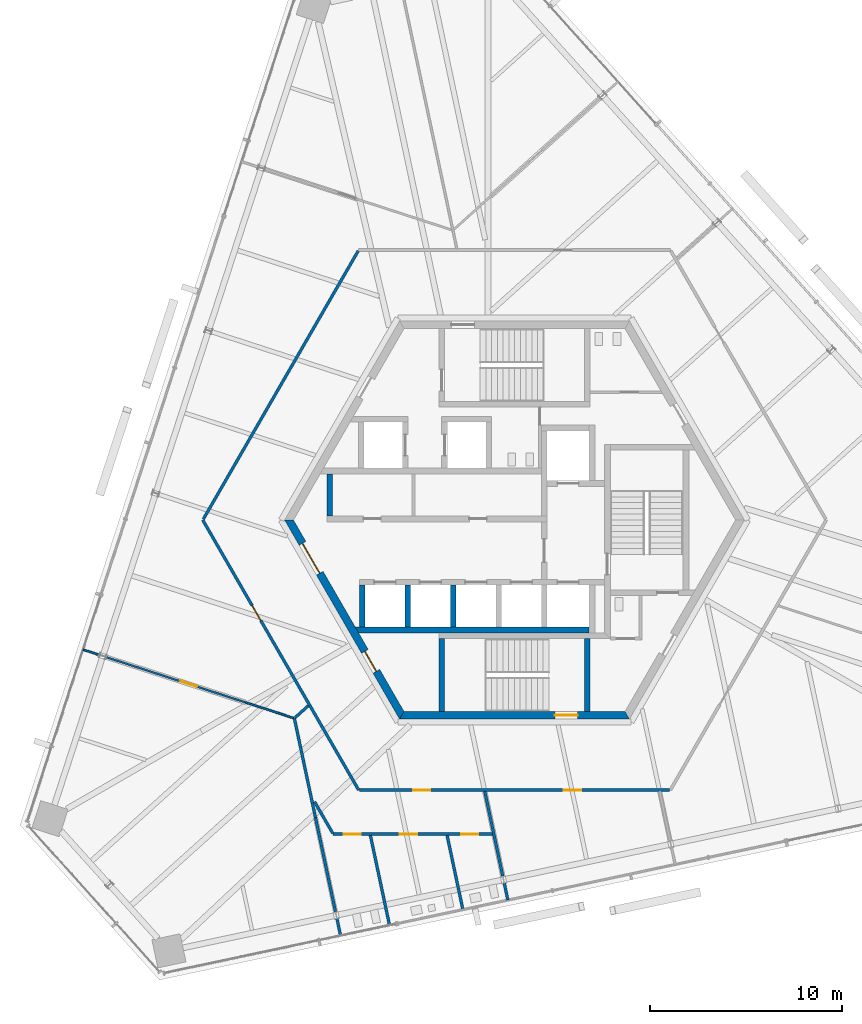
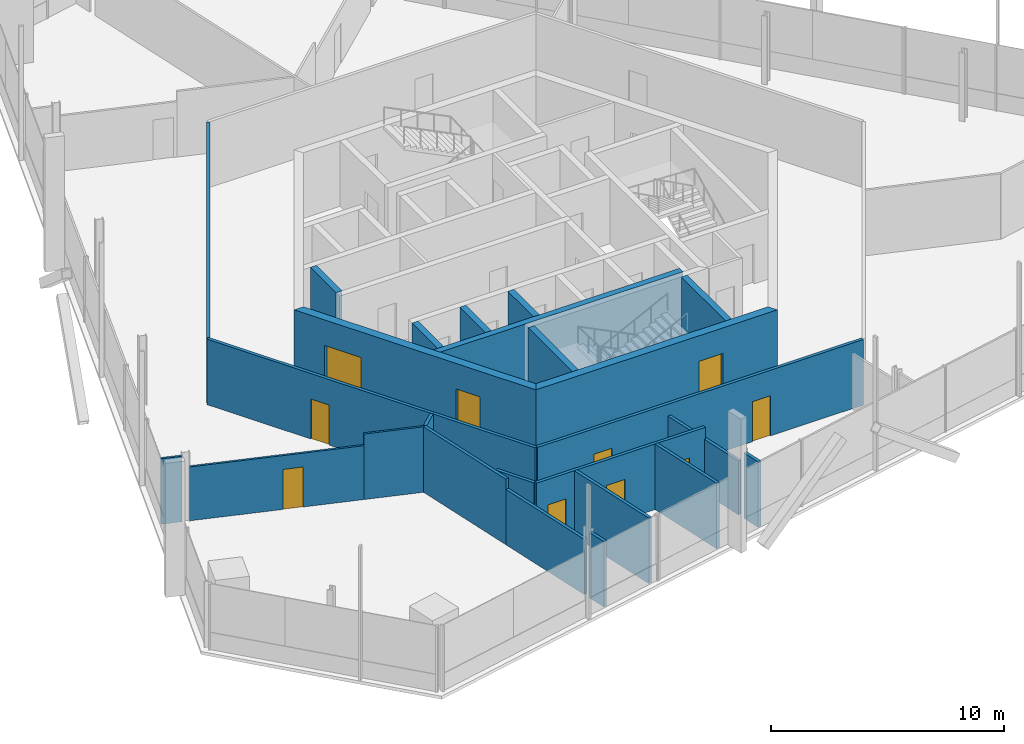
# One storey, part 10 of 17: 25 walls, 10 doors, 10 openings.
"""IFC4 building model written with IfcOpenShell, lengths in metres."""

import ifcopenshell
import ifcopenshell.guid

model = None  # the IFC model being written
_history = None  # IfcOwnerHistory: only IFC2X3 demands one
_inside = {}  # id of a spatial element -> (the spatial element, [elements in it])
_under = {}  # id of a project, library or spatial element -> (it, [spatial elements below it])
_declared = {}  # id of a project -> (the project, [libraries it declares])
_typed = {}  # id of a type object -> (the type object, [elements of that type])
_made_of = {}  # id of a material, layer set ... -> (it, [elements and type objects made of it])


def new_model(schema):
    """Start an empty IFC model of exactly this schema.

    Asked for "IFC4X3", IfcOpenShell would pick the latest addendum, in which some entities
    have other attributes; the version numbers below select the first issue.
    IFC2X3 requires an IfcOwnerHistory on every rooted entity: one is made here for all.
    """
    global model, _history
    if schema == "IFC4X3":
        model = ifcopenshell.file(schema_version=(4, 3, 0, 0))
    else:
        model = ifcopenshell.file(schema=schema)
    _inside.clear()
    _under.clear()
    _declared.clear()
    _typed.clear()
    _made_of.clear()
    _history = None
    if model.schema == "IFC2X3":
        org = make("IfcOrganization", Name="unknown")
        user = make(
            "IfcPersonAndOrganization",
            ThePerson=make("IfcPerson", FamilyName="unknown"),
            TheOrganization=org,
        )
        app = make(
            "IfcApplication",
            ApplicationDeveloper=org,
            Version="unknown",
            ApplicationFullName="unknown",
            ApplicationIdentifier="unknown",
        )
        _history = make(
            "IfcOwnerHistory",
            OwningUser=user,
            OwningApplication=app,
            ChangeAction="ADDED",
            CreationDate=0,
        )
    return model


def make(cls, **values):
    """One entity of the class cls with the attributes given. An attribute that is None is left unset."""
    return model.create_entity(
        cls, **{name: value for name, value in values.items() if value is not None}
    )


def rooted(cls, **values):
    """An entity with a GlobalId (a new one), such as an element, a storey or a relation."""
    return make(cls, GlobalId=ifcopenshell.guid.new(), OwnerHistory=_history, **values)


def si_unit(unit_type, name, prefix=None):
    """IfcSIUnit, for example si_unit("LENGTHUNIT", "METRE", prefix="MILLI")."""
    return make("IfcSIUnit", UnitType=unit_type, Prefix=prefix, Name=name)


def assignment(units):
    """IfcUnitAssignment: the units of a project."""
    return None if units is None else make("IfcUnitAssignment", Units=units)


def point(xyz):
    """IfcCartesianPoint."""
    return None if xyz is None else make("IfcCartesianPoint", Coordinates=xyz)


def direction(xyz):
    """IfcDirection."""
    return None if xyz is None else make("IfcDirection", DirectionRatios=xyz)


def frame(location, z_axis=None, x_axis=None):
    """IfcAxis2Placement3D, a coordinate frame: its origin and axes. An axis left out is left unset."""
    return make(
        "IfcAxis2Placement3D",
        Location=point(location),
        Axis=direction(z_axis),
        RefDirection=direction(x_axis),
    )


def frame_2d(location, x_axis=None):
    """IfcAxis2Placement2D, a coordinate frame in the plane: its origin and x axis."""
    return make(
        "IfcAxis2Placement2D", Location=point(location), RefDirection=direction(x_axis)
    )


def origin():
    """The frame at (0, 0, 0) with its axes left unset."""
    return frame((0.0, 0.0, 0.0))


def place(relative_to, where):
    """IfcLocalPlacement: puts the frame where relative to a parent placement (None: the world)."""
    return make(
        "IfcLocalPlacement", PlacementRelTo=relative_to, RelativePlacement=where
    )


def context(
    kind, dimensions, precision=None, world=None, true_north=None, identifier=None
):
    """IfcGeometricRepresentationContext, for example the 3D "Model" context."""
    return make(
        "IfcGeometricRepresentationContext",
        ContextIdentifier=identifier,
        ContextType=kind,
        CoordinateSpaceDimension=dimensions,
        Precision=precision,
        WorldCoordinateSystem=world,
        TrueNorth=true_north,
    )


def subcontext(parent, identifier, kind, view, scale=None):
    """IfcGeometricRepresentationSubContext, for example "Body" below "Model"."""
    return make(
        "IfcGeometricRepresentationSubContext",
        ContextIdentifier=identifier,
        ContextType=kind,
        ParentContext=parent,
        TargetScale=scale,
        TargetView=view,
    )


def project(units=None, contexts=None):
    """IfcProject with its units and contexts."""
    return rooted(
        "IfcProject",
        Name="project",
        RepresentationContexts=contexts,
        UnitsInContext=assignment(units),
    )


def spatial(cls, under=None, at=None, **own):
    """A site, building, storey or space (cls), placed at a placement, below another one or the project."""
    s = rooted(cls, ObjectPlacement=at, **own)
    if under is not None:
        _under.setdefault(under.id(), (under, []))[1].append(s)
    return s


def polyline(points):
    """IfcPolyline through the points."""
    return make("IfcPolyline", Points=[point(p) for p in points])


def profile(cls, at=None, kind="AREA", **sizes):
    """A parametric profile (cls). Its sizes go by their IFC names, for example OverallWidth=200.0."""
    return make(cls, ProfileType=kind, Position=at, **sizes)


def rectangle(**sizes):
    """IfcRectangleProfileDef."""
    return profile("IfcRectangleProfileDef", **sizes)


def outline(outer, holes=None, kind="AREA"):
    """IfcArbitraryClosedProfileDef: a profile drawn as a closed curve; with holes, ...WithVoids."""
    if holes is None:
        return make("IfcArbitraryClosedProfileDef", ProfileType=kind, OuterCurve=outer)
    return make(
        "IfcArbitraryProfileDefWithVoids",
        ProfileType=kind,
        OuterCurve=outer,
        InnerCurves=holes,
    )


def extrude(swept, where, along, depth):
    """IfcExtrudedAreaSolid: the profile swept, set in the frame where, extruded along a direction by depth."""
    return make(
        "IfcExtrudedAreaSolid",
        SweptArea=swept,
        Position=where,
        ExtrudedDirection=direction(along),
        Depth=depth,
    )


def shape(context_of_items, identifier, shape_type, items):
    """IfcShapeRepresentation: the items that make up one representation, for example the "Body"."""
    return make(
        "IfcShapeRepresentation",
        ContextOfItems=context_of_items,
        RepresentationIdentifier=identifier,
        RepresentationType=shape_type,
        Items=items,
    )


def source(mapping_origin, context_of_items, identifier, shape_type, items):
    """IfcRepresentationMap: a shape defined once, which mapped items show again and again."""
    return make(
        "IfcRepresentationMap",
        MappingOrigin=mapping_origin,
        MappedRepresentation=shape(context_of_items, identifier, shape_type, items),
    )


def transform(
    local_origin,
    x_axis=None,
    y_axis=None,
    z_axis=None,
    scale=None,
    scale2=None,
    scale3=None,
    uniform=True,
):
    """IfcCartesianTransformationOperator3D, or its non-uniform kind. x_axis, y_axis, z_axis: its Axis1, 2, 3."""
    if uniform:
        return make(
            "IfcCartesianTransformationOperator3D",
            Axis1=direction(x_axis),
            Axis2=direction(y_axis),
            LocalOrigin=point(local_origin),
            Scale=scale,
            Axis3=direction(z_axis),
        )
    return make(
        "IfcCartesianTransformationOperator3DnonUniform",
        Axis1=direction(x_axis),
        Axis2=direction(y_axis),
        LocalOrigin=point(local_origin),
        Scale=scale,
        Axis3=direction(z_axis),
        Scale2=scale2,
        Scale3=scale3,
    )


def mapped(mapping_source, mapping_target):
    """IfcMappedItem: shows the shape of a source again, moved by a transform."""
    return make(
        "IfcMappedItem", MappingSource=mapping_source, MappingTarget=mapping_target
    )


def material(Name=None, Category=None):
    """IfcMaterial."""
    return make("IfcMaterial", Name=Name, Category=Category)


def layer(
    of_material, thickness, ventilated=None, Name=None, Category=None, Priority=None
):
    """IfcMaterialLayer: one layer of a wall or slab, of a material (None: an air gap)."""
    return make(
        "IfcMaterialLayer",
        Material=of_material,
        LayerThickness=thickness,
        IsVentilated=ventilated,
        Name=Name,
        Category=Category,
        Priority=Priority,
    )


def layer_set(layers, Name=None):
    """IfcMaterialLayerSet."""
    return make("IfcMaterialLayerSet", MaterialLayers=layers, LayerSetName=Name)


def made_of(thing, what):
    """Note that an element or type object is made of a material, layer set ...; save() writes the relation."""
    if what is not None:
        _made_of.setdefault(what.id(), (what, []))[1].append(thing)
    return thing


def type_object(cls, material=None, **own):
    """A type object (cls), such as IfcWallType, which elements share."""
    return made_of(rooted(cls, **own), material)


def element(
    cls,
    number,
    at=None,
    inside=None,
    cuts=None,
    type_object=None,
    material=None,
    context=None,
    identifier="Body",
    shape_type=None,
    held_by="IfcProductDefinitionShape",
    body=None,
    shapes=None,
    **own,
):
    """One element of the class cls, such as IfcWall. Its Tag is "e" and its number.

    at: its placement. inside: the storey or other place that contains it. cuts: it is an
    opening in that element (IfcRelVoidsElement). A single representation is given by context,
    identifier, shape_type and body (its items); several are given by shapes. held_by: the class
    of the entity that holds the representations. save() writes the other relations.
    """
    e = rooted(cls, Tag="e%d" % number, ObjectPlacement=at, **own)
    if body is not None:
        shapes = [shape(context, identifier, shape_type, body)]
    if shapes is not None:
        e.Representation = make(held_by, Representations=shapes)
    if inside is not None:
        _inside.setdefault(inside.id(), (inside, []))[1].append(e)
    if cuts is not None:
        rooted(
            "IfcRelVoidsElement", RelatingBuildingElement=cuts, RelatedOpeningElement=e
        )
    if type_object is not None:
        _typed.setdefault(type_object.id(), (type_object, []))[1].append(e)
    return made_of(e, material)


def fill(opening, filler):
    """IfcRelFillsElement: the door or window that sits in an opening."""
    return rooted(
        "IfcRelFillsElement",
        RelatingOpeningElement=opening,
        RelatedBuildingElement=filler,
    )


def aggregate(whole, parts):
    """IfcRelAggregates: a whole, such as a stair, and the parts it consists of."""
    return rooted("IfcRelAggregates", RelatingObject=whole, RelatedObjects=parts)


def save(model, path):
    """Write the relations noted so far, then the file.

    IfcRelAggregates (storeys below a building ...), IfcRelContainedInSpatialStructure (elements
    in a storey), IfcRelDefinesByType, IfcRelAssociatesMaterial and IfcRelDeclares: one each for
    every whole, place, type object, material and project.
    """
    for whole, parts in _under.values():
        aggregate(whole, parts)
    for where, things in _inside.values():
        rooted(
            "IfcRelContainedInSpatialStructure",
            RelatedElements=things,
            RelatingStructure=where,
        )
    for kind, things in _typed.values():
        rooted("IfcRelDefinesByType", RelatedObjects=things, RelatingType=kind)
    for what, things in _made_of.values():
        rooted("IfcRelAssociatesMaterial", RelatedObjects=things, RelatingMaterial=what)
    for by, libraries in _declared.values():
        rooted("IfcRelDeclares", RelatingContext=by, RelatedDefinitions=libraries)
    model.write(path)


model = new_model("IFC4")

# Units and contexts
model_context = context("Model", 3, precision=1e-05, world=origin(), true_north=direction((0.0, 1.0)))
body_context = subcontext(model_context, "Body", "Model", "MODEL_VIEW")
ifc_project = project(units=[si_unit("LENGTHUNIT", "METRE"), si_unit("AREAUNIT", "SQUARE_METRE"), si_unit("VOLUMEUNIT", "CUBIC_METRE"), si_unit("PLANEANGLEUNIT", "RADIAN"), si_unit("MASSUNIT", "GRAM", prefix="KILO")], contexts=[model_context])

# Site, building, storey
site_placement = place(None, origin())
site = spatial("IfcSite", under=ifc_project, at=site_placement, CompositionType="ELEMENT")
building_placement = place(site_placement, origin())
building = spatial("IfcBuilding", under=site, at=building_placement, Name="Triune Harvest Tower", CompositionType="ELEMENT")
storey_placement = place(building_placement, frame((0.0, 0.0, 273.89990234375)))
storey = spatial("IfcBuildingStorey", under=building, at=storey_placement, Name="L72", CompositionType="ELEMENT", Elevation=273.89990234375)

# Walls
ifc_material_1 = material(Name="Gypsum board on steel studs", Category="steel")
ifc_layer_1 = layer(ifc_material_1, 0.14990234375)
ifc_layer_set_1 = layer_set([ifc_layer_1], Name="Gypsum board on steel studs")
wall_type_1 = type_object("IfcWallType", Name="Fire Partition 150 mm", PredefinedType="PARTITIONING", material=ifc_layer_set_1)
wall_1_placement = place(storey_placement, frame((-11.491943359375, -10.34716796875, 0.0), z_axis=(0.0, 0.0, 1.0), x_axis=(0.207927618858, -0.978144214989, 0.0)))
element("IfcWall", 1, at=wall_1_placement, inside=storey, type_object=wall_type_1, Name="Partition L72 001", PredefinedType="PARTITIONING", context=body_context, shape_type="SweptSolid", body=[
    extrude(rectangle(XDim=5.300048828125, YDim=0.14990234375, at=frame_2d((2.64990234375, 0.0))), origin(), (0.0, 0.0, 1.0), 3.440185546875),
])
wall_2_placement = place(storey_placement, frame((-9.270751953125, -20.796630859375, 0.0), z_axis=(0.0, 0.0, 1.0), x_axis=(0.20805334987, -0.978117479451, 0.0)))
element("IfcWall", 2, at=wall_2_placement, inside=storey, type_object=wall_type_1, Name="Partition L72 002", PredefinedType="PARTITIONING", context=body_context, shape_type="SweptSolid", body=[
    extrude(rectangle(XDim=0.915283203125, YDim=0.14990234375, at=frame_2d((0.45751953125, 0.0))), origin(), (0.0, 0.0, 1.0), 3.440185546875),
])
wall_3_placement = place(storey_placement, frame((-7.522705078125, -16.460693359375, 0.0), z_axis=(0.0, 0.0, 1.0), x_axis=(0.207876422893, -0.978155096498, 0.0)))
element("IfcWall", 3, at=wall_3_placement, inside=storey, type_object=wall_type_1, Name="Partition L72 003", PredefinedType="PARTITIONING", context=body_context, shape_type="SweptSolid", body=[
    extrude(rectangle(XDim=4.79296875, YDim=0.14990234375, at=frame_2d((2.396484375, 0.0))), origin(), (0.0, 0.0, 1.0), 3.440185546875),
])
wall_4_placement = place(storey_placement, frame((-3.5185546875, -16.460693359375, 0.0), z_axis=(0.0, 0.0, 1.0), x_axis=(0.207861704825, -0.97815822425, 0.0)))
element("IfcWall", 4, at=wall_4_placement, inside=storey, type_object=wall_type_1, Name="Partition L72 004", PredefinedType="PARTITIONING", context=body_context, shape_type="SweptSolid", body=[
    extrude(rectangle(XDim=3.96044921875, YDim=0.14990234375, at=frame_2d((1.980224609375, 0.0))), origin(), (0.0, 0.0, 1.0), 3.440185546875),
])
wall_5_placement = place(storey_placement, frame((-1.5537109375, -14.160888671875, 0.0), z_axis=(0.0, 0.0, 1.0), x_axis=(0.207856186366, -0.978159396923, 0.0)))
element("IfcWall", 5, at=wall_5_placement, inside=storey, type_object=wall_type_1, Name="Partition L72 005", PredefinedType="PARTITIONING", context=body_context, shape_type="SweptSolid", body=[
    extrude(rectangle(XDim=4.545654296875, YDim=0.14990234375, at=frame_2d((2.27294921875, 0.0))), origin(), (0.0, 0.0, 1.0), 2.827880859375),
])
wall_6_placement = place(storey_placement, frame((-0.537841796875, -18.940185546875, 0.0), z_axis=(0.0, 0.0, 1.0), x_axis=(0.207743933161, -0.978183243689, 0.0)))
element("IfcWall", 6, at=wall_6_placement, inside=storey, type_object=wall_type_1, Name="Partition L72 006", PredefinedType="PARTITIONING", context=body_context, shape_type="SweptSolid", body=[
    extrude(rectangle(XDim=0.91552734375, YDim=0.14990234375, at=frame_2d((0.457763671875, 0.0))), origin(), (0.0, 0.0, 1.0), 3.440185546875),
])
wall_7_placement = place(storey_placement, frame((-10.4384765625, -14.70458984375, 0.0), z_axis=(0.0, 0.0, 1.0), x_axis=(0.499996970966, -0.866027152591, 0.0)))
element("IfcWall", 7, at=wall_7_placement, inside=storey, type_object=wall_type_1, Name="Partition L72 011", PredefinedType="PARTITIONING", context=body_context, shape_type="SweptSolid", body=[
    extrude(rectangle(XDim=1.89892578125, YDim=0.14990234375, at=frame_2d((0.949462890625, 0.0))), origin(), (0.0, 0.0, 1.0), 3.440185546875),
])

# Wall, openings, doors
wall_8_placement = place(storey_placement, frame((-9.464111328125, -16.392333984375, 0.0), z_axis=(0.0, 0.0, 1.0), x_axis=(1.0, 0.0, 0.0)))
wall_8 = element("IfcWall", 8, at=wall_8_placement, inside=storey, type_object=wall_type_1, Name="Partition L72 020", PredefinedType="PARTITIONING", context=body_context, shape_type="SweptSolid", body=[
    extrude(rectangle(XDim=8.384521484375, YDim=0.14990234375, at=frame_2d((4.1923828125, 0.0))), origin(), (0.0, 0.0, 1.0), 3.440185546875),
])
opening_1_placement = place(wall_8_placement, frame((0.550048828125, 0.0, 0.0)))
opening_1 = element("IfcOpeningElement", 9, at=opening_1_placement, cuts=wall_8, Name="Opening L72-008", PredefinedType="OPENING", context=body_context, shape_type="SweptSolid", body=[
    extrude(rectangle(XDim=0.89990234375, YDim=2.10009765625, at=frame_2d((0.449951171875, 1.050048828125))), frame((0.0, 0.0849609375, 0.0), z_axis=(0.0, -1.0, 0.0), x_axis=(1.0, 0.0, 0.0)), (0.0, 0.0, 1.0), 0.169921875),
])
opening_2_placement = place(wall_8_placement, frame((3.476806640625, 0.0, 0.0)))
opening_2 = element("IfcOpeningElement", 10, at=opening_2_placement, cuts=wall_8, Name="Opening L72-009", PredefinedType="OPENING", context=body_context, shape_type="SweptSolid", body=[
    extrude(rectangle(XDim=0.89990234375, YDim=2.10009765625, at=frame_2d((0.449951171875, 1.050048828125))), frame((0.0, 0.0849609375, 0.0), z_axis=(0.0, -1.0, 0.0), x_axis=(1.0, 0.0, 0.0)), (0.0, 0.0, 1.0), 0.169921875),
])
opening_3_placement = place(wall_8_placement, frame((6.680908203125, 0.0, 0.0)))
opening_3 = element("IfcOpeningElement", 11, at=opening_3_placement, cuts=wall_8, Name="Opening L72-010", PredefinedType="OPENING", context=body_context, shape_type="SweptSolid", body=[
    extrude(rectangle(XDim=0.89990234375, YDim=2.10009765625, at=frame_2d((0.449951171875, 1.050048828125))), frame((0.0, 0.0849609375, 0.0), z_axis=(0.0, -1.0, 0.0), x_axis=(1.0, 0.0, 0.0)), (0.0, 0.0, 1.0), 0.169921875),
])
ifc_material_2 = material(Name="Timber and steel door set", Category="steel")
door_type_1 = type_object("IfcDoorType", Name="Single leaf door FD30 left hand 900 x 2100", OperationType="SINGLE_SWING_LEFT", PredefinedType="DOOR", material=ifc_material_2)
door_1_placement = place(opening_3_placement, origin())
door_1 = element("IfcDoor", 12, at=door_1_placement, inside=storey, type_object=door_type_1, Name="Door L72-010 Accessible WC 72.10", OperationType="SINGLE_SWING_LEFT", OverallHeight=2.10009765625, OverallWidth=0.89990234375, PredefinedType="DOOR", context=body_context, shape_type="SweptSolid", body=[
    extrude(rectangle(XDim=0.89990234375, YDim=2.10009765625, at=frame_2d((0.449951171875, 1.050048828125))), frame((0.0, 0.02490234375, 0.0), z_axis=(0.0, -1.0, 0.0), x_axis=(1.0, 0.0, 0.0)), (0.0, 0.0, 1.0), 0.050048828125),
])
fill(opening_3, door_1)
ifc_material_3 = material(Name="Timber and steel door set", Category="steel")
door_type_2 = type_object("IfcDoorType", Name="Single leaf door FD30 right hand 900 x 2100", OperationType="SINGLE_SWING_RIGHT", PredefinedType="DOOR", material=ifc_material_3)
door_2_placement = place(opening_1_placement, origin())
door_2 = element("IfcDoor", 13, at=door_2_placement, inside=storey, type_object=door_type_2, Name="Door L72-008 Women's WC 72.08", OperationType="SINGLE_SWING_RIGHT", OverallHeight=2.10009765625, OverallWidth=0.89990234375, PredefinedType="DOOR", context=body_context, shape_type="SweptSolid", body=[
    extrude(rectangle(XDim=0.89990234375, YDim=2.10009765625, at=frame_2d((0.449951171875, 1.050048828125))), frame((0.0, 0.02490234375, 0.0), z_axis=(0.0, -1.0, 0.0), x_axis=(1.0, 0.0, 0.0)), (0.0, 0.0, 1.0), 0.050048828125),
])
fill(opening_1, door_2)
door_3_placement = place(opening_2_placement, origin())
door_3 = element("IfcDoor", 14, at=door_3_placement, inside=storey, type_object=door_type_2, Name="Door L72-009 Men's WC 72.09", OperationType="SINGLE_SWING_RIGHT", OverallHeight=2.10009765625, OverallWidth=0.89990234375, PredefinedType="DOOR", context=body_context, shape_type="SweptSolid", body=[
    extrude(rectangle(XDim=0.89990234375, YDim=2.10009765625, at=frame_2d((0.449951171875, 1.050048828125))), frame((0.0, 0.02490234375, 0.0), z_axis=(0.0, -1.0, 0.0), x_axis=(1.0, 0.0, 0.0)), (0.0, 0.0, 1.0), 0.050048828125),
])
fill(opening_2, door_3)

wall_9_placement = place(storey_placement, frame((-8.09619140625, -14.09228515625, 0.0), z_axis=(0.0, 0.0, 1.0), x_axis=(1.0, 0.0, 0.0)))
wall_9 = element("IfcWall", 15, at=wall_9_placement, inside=storey, type_object=wall_type_1, Name="Partition L72 021", PredefinedType="PARTITIONING", context=body_context, shape_type="SweptSolid", body=[
    extrude(rectangle(XDim=16.182373046875, YDim=0.14990234375, at=frame_2d((8.09130859375, 0.0))), origin(), (0.0, 0.0, 1.0), 3.440185546875),
])
opening_4_placement = place(wall_9_placement, frame((2.81005859375, 0.0, 0.0)))
opening_4 = element("IfcOpeningElement", 16, at=opening_4_placement, cuts=wall_9, Name="Opening L72-007", PredefinedType="OPENING", context=body_context, shape_type="SweptSolid", body=[
    extrude(rectangle(XDim=0.89990234375, YDim=2.10009765625, at=frame_2d((0.449951171875, 1.050048828125))), frame((0.0, 0.0849609375, 0.0), z_axis=(0.0, -1.0, 0.0), x_axis=(1.0, 0.0, 0.0)), (0.0, 0.0, 1.0), 0.169921875),
])
opening_5_placement = place(wall_9_placement, frame((10.677734375, 0.0, 0.0)))
opening_5 = element("IfcOpeningElement", 17, at=opening_5_placement, cuts=wall_9, Name="Opening L72-011", PredefinedType="OPENING", context=body_context, shape_type="SweptSolid", body=[
    extrude(rectangle(XDim=0.89990234375, YDim=2.10009765625, at=frame_2d((0.449951171875, 1.050048828125))), frame((0.0, 0.0849609375, 0.0), z_axis=(0.0, -1.0, 0.0), x_axis=(1.0, 0.0, 0.0)), (0.0, 0.0, 1.0), 0.169921875),
])
door_4_placement = place(opening_5_placement, origin())
door_4 = element("IfcDoor", 18, at=door_4_placement, inside=storey, type_object=door_type_1, Name="Door L72-011 Open Office 72.11", OperationType="SINGLE_SWING_LEFT", OverallHeight=2.10009765625, OverallWidth=0.89990234375, PredefinedType="DOOR", context=body_context, shape_type="SweptSolid", body=[
    extrude(rectangle(XDim=0.89990234375, YDim=2.10009765625, at=frame_2d((0.449951171875, 1.050048828125))), frame((0.0, 0.02490234375, 0.0), z_axis=(0.0, -1.0, 0.0), x_axis=(1.0, 0.0, 0.0)), (0.0, 0.0, 1.0), 0.050048828125),
])
fill(opening_5, door_4)
door_5_placement = place(opening_4_placement, origin())
door_5 = element("IfcDoor", 19, at=door_5_placement, inside=storey, type_object=door_type_2, Name="Door L72-007 WC lobby 72.07", OperationType="SINGLE_SWING_RIGHT", OverallHeight=2.10009765625, OverallWidth=0.89990234375, PredefinedType="DOOR", context=body_context, shape_type="SweptSolid", body=[
    extrude(rectangle(XDim=0.89990234375, YDim=2.10009765625, at=frame_2d((0.449951171875, 1.050048828125))), frame((0.0, 0.02490234375, 0.0), z_axis=(0.0, -1.0, 0.0), x_axis=(1.0, 0.0, 0.0)), (0.0, 0.0, 1.0), 0.050048828125),
])
fill(opening_4, door_5)

# Walls
wall_10_placement = place(storey_placement, frame((-11.45458984375, -10.313720703125, 0.0), z_axis=(0.0, 0.0, 1.0), x_axis=(0.743151556528, 0.669123130694, 0.0)))
element("IfcWall", 20, at=wall_10_placement, inside=storey, type_object=wall_type_1, Name="Partition L72 024", PredefinedType="PARTITIONING", context=body_context, shape_type="SweptSolid", body=[
    extrude(rectangle(XDim=0.9365234375, YDim=0.14990234375, at=frame_2d((0.46826171875, 0.0))), origin(), (0.0, 0.0, 1.0), 3.440185546875),
])
wall_11_placement = place(storey_placement, frame((-16.247314453125, 0.043212890625, 0.0), z_axis=(0.0, 0.0, 1.0), x_axis=(0.499995128777, 0.866028216168, 0.0)))
element("IfcWall", 21, at=wall_11_placement, inside=storey, type_object=wall_type_1, Name="Partition L72 030", PredefinedType="PARTITIONING", context=body_context, shape_type="SweptSolid", body=[
    extrude(rectangle(XDim=16.172607421875, YDim=0.14990234375, at=frame_2d((8.08642578125, 0.0))), origin(), (0.0, 0.0, 1.0), 3.440185546875),
])
ifc_material_4 = material(Name="Gypsum board on steel studs", Category="steel")
ifc_layer_2 = layer(ifc_material_4, 0.10009765625)
ifc_layer_set_2 = layer_set([ifc_layer_2], Name="Gypsum board on steel studs")
wall_type_2 = type_object("IfcWallType", Name="Partition 100 mm", PredefinedType="PARTITIONING", material=ifc_layer_set_2)
wall_12_placement = place(storey_placement, frame((-14.039306640625, -9.51953125, 0.0), z_axis=(0.0, 0.0, 1.0), x_axis=(0.951070782935, -0.308973082722, 0.0)))
element("IfcWall", 22, at=wall_12_placement, inside=storey, type_object=wall_type_2, Name="Partition L72 015a", PredefinedType="PARTITIONING", context=body_context, shape_type="SweptSolid", body=[
    extrude(rectangle(XDim=2.638427734375, YDim=0.10009765625, at=frame_2d((1.3193359375, 0.0))), origin(), (0.0, 0.0, 1.0), 3.440185546875),
])

# Wall, openings, doors
ifc_material_5 = material(Name="Concrete 70 MPa", Category="concrete")
ifc_layer_3 = layer(ifc_material_5, 0.39990234375)
ifc_layer_set_3 = layer_set([ifc_layer_3], Name="Concrete 70 MPa")
wall_type_3 = type_object("IfcWallType", Name="Core wall 400", PredefinedType="SHEAR", material=ifc_layer_set_3)
shared_shape_1 = source(origin(), body_context, "Body", "SweptSolid", [
    extrude(outline(polyline([(-0.115478515625, -0.199951171875), (11.884521484375, -0.199951171875), (11.653564453125, 0.199951171875), (0.115478515625, 0.199951171875), (-0.115478515625, -0.199951171875)])), origin(), (0.0, 0.0, 1.0), 3.440185546875),
])
wall_13_placement = place(storey_placement, frame((-11.76904296875, 0.0, 0.0), z_axis=(0.0, 0.0, 1.0), x_axis=(0.499996592174, -0.866027371285, 0.0)))
wall_13 = element("IfcWall", 23, at=wall_13_placement, inside=storey, type_object=wall_type_3, Name="Hexagon 3 wall", PredefinedType="SHEAR", context=body_context, shape_type="MappedRepresentation", body=[
    mapped(shared_shape_1, transform((0.0, 0.0, 0.0), scale=1.0)),
])
opening_6_placement = place(wall_13_placement, frame((1.404541015625, 0.0, 0.0)))
opening_6 = element("IfcOpeningElement", 24, at=opening_6_placement, cuts=wall_13, Name="Opening CD-LS", PredefinedType="OPENING", context=body_context, shape_type="SweptSolid", body=[
    extrude(rectangle(XDim=1.800048828125, YDim=2.10009765625, at=frame_2d((0.89990234375, 1.050048828125))), frame((0.0, 0.2099609375, 0.0), z_axis=(0.0, -1.0, 0.0), x_axis=(1.0, 0.0, 0.0)), (0.0, 0.0, 1.0), 0.419921875),
])
opening_7_placement = place(wall_13_placement, frame((7.91455078125, 0.0, 0.0)))
opening_7 = element("IfcOpeningElement", 25, at=opening_7_placement, cuts=wall_13, Name="Opening CD-SWP", PredefinedType="OPENING", context=body_context, shape_type="SweptSolid", body=[
    extrude(rectangle(XDim=1.199951171875, YDim=2.10009765625, at=frame_2d((0.60009765625, 1.050048828125))), frame((0.0, 0.2099609375, 0.0), z_axis=(0.0, -1.0, 0.0), x_axis=(1.0, 0.0, 0.0)), (0.0, 0.0, 1.0), 0.419921875),
])
ifc_material_6 = material(Name="Steel S235", Category="steel")
door_type_3 = type_object("IfcDoorType", Name="Lobby door 1800 FD120", OperationType="DOUBLE_DOOR_DOUBLE_SWING", PredefinedType="DOOR", material=ifc_material_6)
door_6_placement = place(opening_6_placement, frame((1.800048828125, 0.0, 0.0), z_axis=(0.0, 0.0, 1.0), x_axis=(-1.0, 0.0, 0.0)))
door_6 = element("IfcDoor", 26, at=door_6_placement, inside=storey, type_object=door_type_3, Name="Door CD-LS", OperationType="DOUBLE_DOOR_DOUBLE_SWING", OverallHeight=2.10009765625, OverallWidth=1.800048828125, PredefinedType="DOOR", context=body_context, shape_type="SweptSolid", body=[
    extrude(rectangle(XDim=1.800048828125, YDim=2.10009765625, at=frame_2d((0.89990234375, 1.050048828125))), frame((0.0, 0.02490234375, 0.0), z_axis=(0.0, -1.0, 0.0), x_axis=(1.0, 0.0, 0.0)), (0.0, 0.0, 1.0), 0.050048828125),
])
fill(opening_6, door_6)
ifc_material_7 = material(Name="Steel S235", Category="steel")
door_type_4 = type_object("IfcDoorType", Name="Service door 1200 FD120", OperationType="SINGLE_SWING_LEFT", PredefinedType="DOOR", material=ifc_material_7)
door_7_placement = place(opening_7_placement, frame((1.199951171875, 0.0, 0.0), z_axis=(0.0, 0.0, 1.0), x_axis=(-1.0, 0.0, 0.0)))
door_7 = element("IfcDoor", 27, at=door_7_placement, inside=storey, type_object=door_type_4, Name="Door CD-SWP", OperationType="SINGLE_SWING_RIGHT", OverallHeight=2.10009765625, OverallWidth=1.199951171875, PredefinedType="DOOR", context=body_context, shape_type="SweptSolid", body=[
    extrude(rectangle(XDim=1.199951171875, YDim=2.10009765625, at=frame_2d((0.60009765625, 1.050048828125))), frame((0.0, 0.02490234375, 0.0), z_axis=(0.0, -1.0, 0.0), x_axis=(1.0, 0.0, 0.0)), (0.0, 0.0, 1.0), 0.050048828125),
])
fill(opening_7, door_7)

# Wall, opening, door
wall_14_placement = place(storey_placement, frame((-5.884521484375, -10.1923828125, 0.0), z_axis=(0.0, 0.0, 1.0), x_axis=(1.0, 0.0, 0.0)))
wall_14 = element("IfcWall", 28, at=wall_14_placement, inside=storey, type_object=wall_type_3, Name="Hexagon 4 wall", PredefinedType="SHEAR", context=body_context, shape_type="MappedRepresentation", body=[
    mapped(shared_shape_1, transform((0.0, 0.0, 0.0), scale=1.0)),
])
opening_8_placement = place(wall_14_placement, frame((7.984619140625, 0.0, 0.0)))
opening_8 = element("IfcOpeningElement", 29, at=opening_8_placement, cuts=wall_14, Name="Opening CD-S2P", PredefinedType="OPENING", context=body_context, shape_type="SweptSolid", body=[
    extrude(rectangle(XDim=1.199951171875, YDim=2.10009765625, at=frame_2d((0.60009765625, 1.050048828125))), frame((0.0, 0.2099609375, 0.0), z_axis=(0.0, -1.0, 0.0), x_axis=(1.0, 0.0, 0.0)), (0.0, 0.0, 1.0), 0.419921875),
])
ifc_material_8 = material(Name="Steel S235", Category="steel")
door_type_5 = type_object("IfcDoorType", Name="Stair door 1200 FD120", OperationType="SINGLE_SWING_LEFT", PredefinedType="DOOR", material=ifc_material_8)
door_8_placement = place(opening_8_placement, frame((1.199951171875, 0.0, 0.0), z_axis=(0.0, 0.0, 1.0), x_axis=(-1.0, 0.0, 0.0)))
door_8 = element("IfcDoor", 30, at=door_8_placement, inside=storey, type_object=door_type_5, Name="Door CD-S2P", OperationType="SINGLE_SWING_RIGHT", OverallHeight=2.10009765625, OverallWidth=1.199951171875, PredefinedType="DOOR", context=body_context, shape_type="SweptSolid", body=[
    extrude(rectangle(XDim=1.199951171875, YDim=2.10009765625, at=frame_2d((0.60009765625, 1.050048828125))), frame((0.0, 0.02490234375, 0.0), z_axis=(0.0, -1.0, 0.0), x_axis=(1.0, 0.0, 0.0)), (0.0, 0.0, 1.0), 0.050048828125),
])
fill(opening_8, door_8)

# Walls
ifc_material_9 = material(Name="Concrete 70 MPa", Category="concrete")
ifc_layer_4 = layer(ifc_material_9, 0.300048828125)
ifc_layer_set_4 = layer_set([ifc_layer_4], Name="Concrete 70 MPa")
wall_type_4 = type_object("IfcWallType", Name="Core wall 300", PredefinedType="SHEAR", material=ifc_layer_set_4)
shared_shape_2 = source(origin(), body_context, "Body", "SweptSolid", [
    extrude(outline(polyline([(12.0, -0.14990234375), (-0.039794921875, -0.14990234375), (-0.212890625, 0.14990234375), (12.0, 0.14990234375), (12.0, -0.14990234375)])), origin(), (0.0, 0.0, 1.0), 3.440185546875),
])
wall_15_placement = place(storey_placement, frame((-8.10009765625, -5.739990234375, 0.0), z_axis=(0.0, 0.0, 1.0), x_axis=(1.0, 0.0, 0.0)))
element("IfcWall", 31, at=wall_15_placement, inside=storey, type_object=wall_type_4, Name="South back wall", PredefinedType="SHEAR", context=body_context, shape_type="MappedRepresentation", body=[
    mapped(shared_shape_2, transform((0.0, 0.0, 0.0), scale=1.0)),
])
shared_shape_3 = source(origin(), body_context, "Body", "SweptSolid", [
    extrude(rectangle(XDim=2.2001953125, YDim=0.300048828125, at=frame_2d((1.10009765625, 0.0))), origin(), (0.0, 0.0, 1.0), 3.440185546875),
])
for number, where, z_axis, x_axis, name in (
    (32, (-7.949951171875, -5.590087890625, 0.0), (0.0, 0.0, 1.0), (0.0, 1.0, 0.0), "South end west wall"),
    (33, (-5.574951171875, -5.590087890625, 0.0), (0.0, 0.0, 1.0), (0.0, 1.0, 0.0), "South cross 1 wall"),
    (34, (-3.199951171875, -5.590087890625, 0.0), (0.0, 0.0, 1.0), (0.0, 1.0, 0.0), "South cross 2 wall"),
):
    element("IfcWall", number, at=place(storey_placement, frame(where, z_axis=z_axis, x_axis=x_axis)), inside=storey, type_object=wall_type_4, Name=name, PredefinedType="SHEAR", context=body_context, shape_type="MappedRepresentation", body=[
        mapped(shared_shape_3, transform((0.0, 0.0, 0.0), scale=1.0)),
    ])
shared_shape_4 = source(origin(), body_context, "Body", "SweptSolid", [
    extrude(rectangle(XDim=2.199951171875, YDim=0.300048828125, at=frame_2d((1.10009765625, 0.0))), origin(), (0.0, 0.0, 1.0), 3.440185546875),
])
wall_16_placement = place(storey_placement, frame((-9.64990234375, 0.2099609375, 0.0), z_axis=(0.0, 0.0, 1.0), x_axis=(0.0, 1.0, 0.0)))
element("IfcWall", 35, at=wall_16_placement, inside=storey, type_object=wall_type_4, Name="North end west wall", PredefinedType="SHEAR", context=body_context, shape_type="MappedRepresentation", body=[
    mapped(shared_shape_4, transform((0.0, 0.0, 0.0), scale=1.0)),
])
shared_shape_5 = source(origin(), body_context, "Body", "SweptSolid", [
    extrude(outline(polyline([(3.800048828125, -0.14990234375), (-0.00439453125, -0.14990234375), (-0.00439453125, 0.14990234375), (3.800048828125, 0.14990234375), (3.800048828125, -0.14990234375)])), origin(), (0.0, 0.0, 1.0), 3.440185546875),
])
for number, where, z_axis, x_axis, name in (
    (36, (-3.800048828125, -9.989990234375, 0.0), (0.0, 0.0, 1.0), (0.0, 1.0, 0.0), "Stair s west wall"),
    (37, (3.800048828125, -9.989990234375, 0.0), (0.0, 0.0, 1.0), (0.0, 1.0, 0.0), "Stair s east wall"),
):
    element("IfcWall", number, at=place(storey_placement, frame(where, z_axis=z_axis, x_axis=x_axis)), inside=storey, type_object=wall_type_4, Name=name, PredefinedType="SHEAR", context=body_context, shape_type="MappedRepresentation", body=[
        mapped(shared_shape_5, transform((0.0, 0.0, 0.0), scale=1.0)),
    ])
shared_shape_6 = source(origin(), body_context, "Body", "SweptSolid", [
    extrude(rectangle(XDim=5.0419921875, YDim=0.14990234375, at=frame_2d((2.52099609375, 0.0))), origin(), (0.0, 0.0, 1.0), 2.904052734375),
])
wall_17_placement = place(storey_placement, frame((-10.389892578125, -15.531494140625, 0.0), z_axis=(0.0, 0.0, 1.0), x_axis=(0.207918403574, -0.978146173869, 0.0)))
element("IfcWall", 38, at=wall_17_placement, inside=storey, type_object=wall_type_1, Name="Partition L72 001a", PredefinedType="PARTITIONING", context=body_context, shape_type="MappedRepresentation", body=[
    mapped(shared_shape_6, transform((0.0, 0.0, 0.0), scale=1.0)),
])
shared_shape_7 = source(origin(), body_context, "Body", "SweptSolid", [
    extrude(rectangle(XDim=0.91552734375, YDim=0.10009765625, at=frame_2d((0.457763671875, 0.0))), origin(), (0.0, 0.0, 1.0), 3.440185546875),
])
wall_18_placement = place(storey_placement, frame((-22.522216796875, -6.76318359375, 0.0), z_axis=(0.0, 0.0, 1.0), x_axis=(0.951030148904, -0.309098133084, 0.0)))
element("IfcWall", 39, at=wall_18_placement, inside=storey, type_object=wall_type_2, Name="Partition L72 014", PredefinedType="PARTITIONING", context=body_context, shape_type="MappedRepresentation", body=[
    mapped(shared_shape_7, transform((0.0, 0.0, 0.0), scale=1.0)),
])

# Wall, opening, door
shared_shape_8 = source(origin(), body_context, "Body", "SweptSolid", [
    extrude(rectangle(XDim=16.2724609375, YDim=0.14990234375, at=frame_2d((8.13623046875, 0.0))), origin(), (0.0, 0.0, 1.0), 3.440185546875),
])
wall_19_placement = place(storey_placement, frame((-16.2724609375, 0.0, 0.0), z_axis=(0.0, 0.0, 1.0), x_axis=(0.500002112793, -0.866024183959, 0.0)))
wall_19 = element("IfcWall", 40, at=wall_19_placement, inside=storey, type_object=wall_type_1, Name="Partition L72 012", PredefinedType="PARTITIONING", context=body_context, shape_type="MappedRepresentation", body=[
    mapped(shared_shape_8, transform((0.0, 0.0, 0.0), scale=1.0)),
])
opening_9_placement = place(wall_19_placement, frame((5.150146484375, 0.0, 0.0)))
opening_9 = element("IfcOpeningElement", 41, at=opening_9_placement, cuts=wall_19, Name="Opening L72-005", PredefinedType="OPENING", context=body_context, shape_type="SweptSolid", body=[
    extrude(rectangle(XDim=0.89990234375, YDim=2.10009765625, at=frame_2d((0.449951171875, 1.050048828125))), frame((0.0, 0.0849609375, 0.0), z_axis=(0.0, -1.0, 0.0), x_axis=(1.0, 0.0, 0.0)), (0.0, 0.0, 1.0), 0.169921875),
])
door_9_placement = place(opening_9_placement, origin())
door_9 = element("IfcDoor", 42, at=door_9_placement, inside=storey, type_object=door_type_2, Name="Door L72-005 Open Office 72.05", OperationType="SINGLE_SWING_RIGHT", OverallHeight=2.10009765625, OverallWidth=0.89990234375, PredefinedType="DOOR", context=body_context, shape_type="SweptSolid", body=[
    extrude(rectangle(XDim=0.89990234375, YDim=2.10009765625, at=frame_2d((0.449951171875, 1.050048828125))), frame((0.0, 0.02490234375, 0.0), z_axis=(0.0, -1.0, 0.0), x_axis=(1.0, 0.0, 0.0)), (0.0, 0.0, 1.0), 0.050048828125),
])
fill(opening_9, door_9)

shared_shape_9 = source(origin(), body_context, "Body", "SweptSolid", [
    extrude(rectangle(XDim=7.663330078125, YDim=0.10009765625, at=frame_2d((3.83154296875, 0.0))), origin(), (0.0, 0.0, 1.0), 2.827880859375),
])
wall_20_placement = place(storey_placement, frame((-21.32763671875, -7.1513671875, 0.0), z_axis=(0.0, 0.0, 1.0), x_axis=(0.951054902991, -0.309021959569, 0.0)))
wall_20 = element("IfcWall", 43, at=wall_20_placement, inside=storey, type_object=wall_type_2, Name="Partition L72 015", PredefinedType="PARTITIONING", context=body_context, shape_type="MappedRepresentation", body=[
    mapped(shared_shape_9, transform((0.0, 0.0, 0.0), scale=1.0)),
])
opening_10_placement = place(wall_20_placement, frame((4.093994140625, 0.0, 0.0)))
opening_10 = element("IfcOpeningElement", 44, at=opening_10_placement, cuts=wall_20, Name="Opening L72-006", PredefinedType="OPENING", context=body_context, shape_type="SweptSolid", body=[
    extrude(rectangle(XDim=0.89990234375, YDim=2.10009765625, at=frame_2d((0.449951171875, 1.050048828125))), frame((0.0, 0.06005859375, 0.0), z_axis=(0.0, -1.0, 0.0), x_axis=(1.0, 0.0, 0.0)), (0.0, 0.0, 1.0), 0.1201171875),
])
ifc_material_10 = material(Name="Timber and steel door set", Category="steel")
door_type_6 = type_object("IfcDoorType", Name="Single leaf door right hand 900 x 2100", OperationType="SINGLE_SWING_RIGHT", PredefinedType="DOOR", material=ifc_material_10)
door_10_placement = place(opening_10_placement, origin())
door_10 = element("IfcDoor", 45, at=door_10_placement, inside=storey, type_object=door_type_6, Name="Door L72-006 Office 72.06", OperationType="SINGLE_SWING_RIGHT", OverallHeight=2.10009765625, OverallWidth=0.89990234375, PredefinedType="DOOR", context=body_context, shape_type="SweptSolid", body=[
    extrude(rectangle(XDim=0.89990234375, YDim=2.10009765625, at=frame_2d((0.449951171875, 1.050048828125))), frame((0.0, 0.02490234375, 0.0), z_axis=(0.0, -1.0, 0.0), x_axis=(1.0, 0.0, 0.0)), (0.0, 0.0, 1.0), 0.050048828125),
])
fill(opening_10, door_10)

save(model, "model.ifc")
